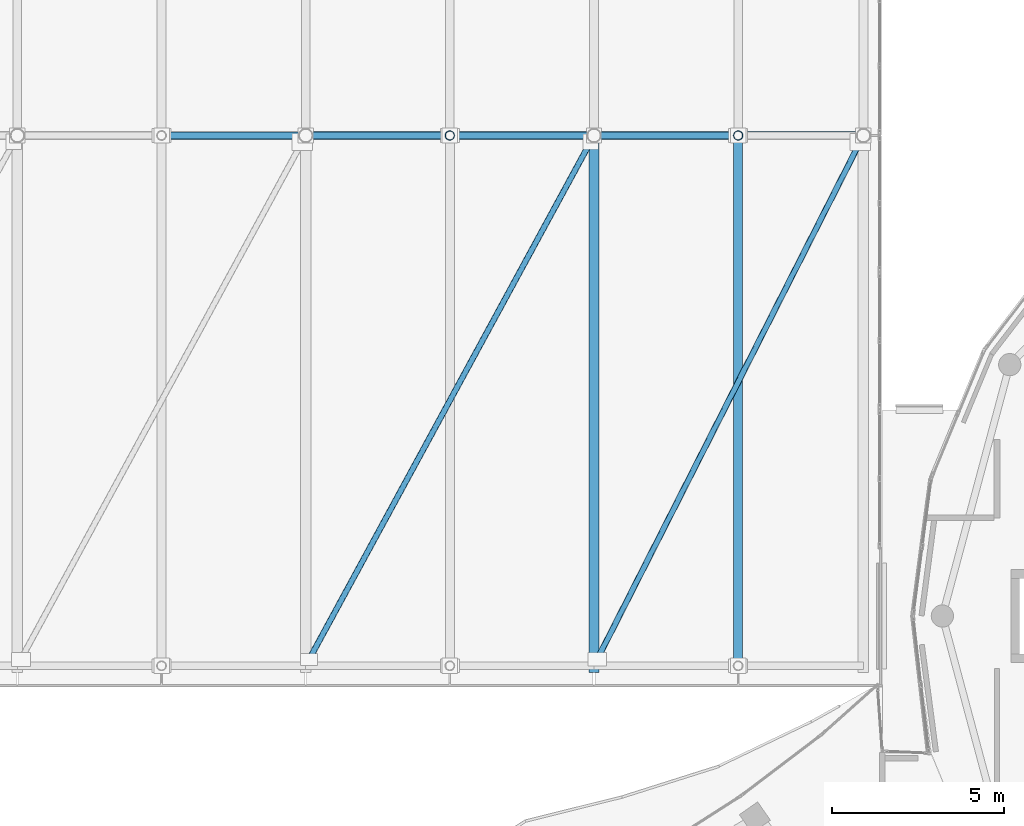
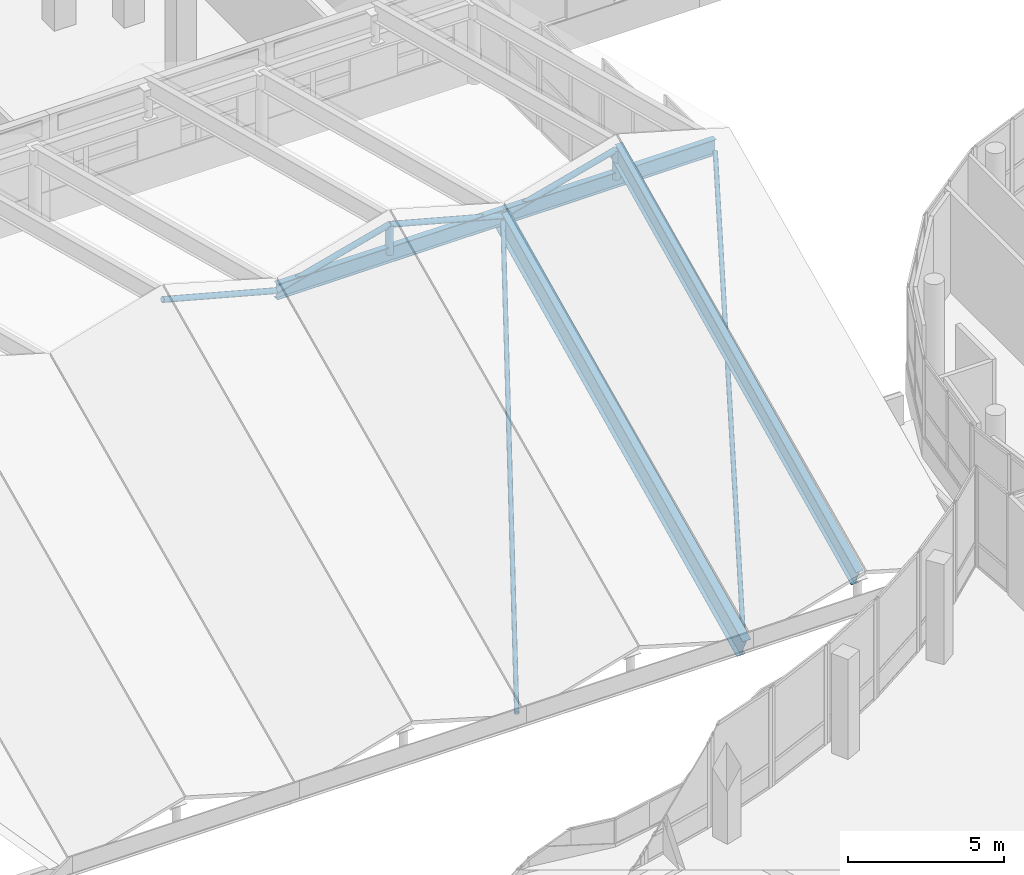
# One storey, part 45 of 184: 8 members, 4 beams.
"""IFC4 building model written with IfcOpenShell, lengths in metres."""

from ifc_helpers import new_model, si_unit, direction, frame, origin, origin_2d, place, context, subcontext, project, spatial, hollow_circle, i_section, extrude, material, material_profile, profile_set, type_object, element, save


model = new_model("IFC4")

# Units and contexts
model_context = context("Model", 3, precision=1e-05, world=origin(), true_north=direction((0.0, 1.0)))
body_context = subcontext(model_context, "Body", "Model", "MODEL_VIEW")
ifc_project = project(units=[si_unit("LENGTHUNIT", "METRE"), si_unit("AREAUNIT", "SQUARE_METRE"), si_unit("VOLUMEUNIT", "CUBIC_METRE"), si_unit("PLANEANGLEUNIT", "RADIAN"), si_unit("MASSUNIT", "GRAM", prefix="KILO")], contexts=[model_context])

# Site, building, storey
site_placement = place(None, origin())
site = spatial("IfcSite", under=ifc_project, at=site_placement, CompositionType="ELEMENT")
building_placement = place(site_placement, origin())
building = spatial("IfcBuilding", under=site, at=building_placement, Name="Selatvlak General Hospital", CompositionType="ELEMENT")
storey_placement = place(building_placement, frame((0.0, 0.0, 15.0)))
storey = spatial("IfcBuildingStorey", under=building, at=storey_placement, Name="L03", CompositionType="ELEMENT", Elevation=15.0)

# Beams
ifc_material = material(Name="Steel S355", Category="steel")
ifc_material_profile_1 = material_profile(ifc_material, i_section(OverallWidth=0.30419921875, OverallDepth=0.910400390625, WebThickness=0.015869140625, FlangeThickness=0.02392578125, at=origin_2d()), Name="UB 914x305x224")
ifc_profile_set_1 = profile_set([ifc_material_profile_1], Name="Steel S355")
beam_type_1 = type_object("IfcBeamType", Name="BM-RF1", PredefinedType="BEAM", material=ifc_profile_set_1)
beam_1_placement = place(storey_placement, frame((73.199951171875, 52.550048828125, -0.679931640625), z_axis=(0.0, 0.901888793553, 0.431968290577), x_axis=(-1.0, 0.0, 0.0)))
element("IfcBeam", 1, at=beam_1_placement, inside=storey, type_object=beam_type_1, Name="Folded roof south rafter 13", PredefinedType="BEAM", context=body_context, shape_type="SweptSolid", body=[
    extrude(i_section(OverallWidth=0.30419921875, OverallDepth=0.910400390625, WebThickness=0.015869140625, FlangeThickness=0.02392578125, at=origin_2d()), origin(), (0.0, 0.0, 1.0), 17.130615234375),
])
ifc_material_profile_2 = material_profile(ifc_material, i_section(OverallWidth=0.2666015625, OverallDepth=0.76220703125, WebThickness=0.014404296875, FlangeThickness=0.021484375, at=origin_2d()), Name="UB 762x267x173")
ifc_profile_set_2 = profile_set([ifc_material_profile_2], Name="Steel S355")
beam_type_2 = type_object("IfcBeamType", Name="BM-RF2", PredefinedType="BEAM", material=ifc_profile_set_2)
beam_2_placement = place(storey_placement, frame((77.39990234375, 52.550048828125, 0.593994140625), z_axis=(0.0, 0.901888793553, 0.431968290577), x_axis=(-1.0, 0.0, 0.0)))
element("IfcBeam", 2, at=beam_2_placement, inside=storey, type_object=beam_type_2, Name="Folded roof south rafter 14", PredefinedType="BEAM", context=body_context, shape_type="SweptSolid", body=[
    extrude(i_section(OverallWidth=0.2666015625, OverallDepth=0.76220703125, WebThickness=0.014404296875, FlangeThickness=0.021484375, at=origin_2d()), origin(), (0.0, 0.0, 1.0), 17.130615234375),
])
ifc_material_profile_3 = material_profile(ifc_material, i_section(OverallWidth=0.228271484375, OverallDepth=0.607666015625, WebThickness=0.010986328125, FlangeThickness=0.017333984375, at=origin_2d()), Name="UB 610x229x113")
ifc_profile_set_3 = profile_set([ifc_material_profile_3], Name="Steel S355")
beam_type_3 = type_object("IfcBeamType", Name="BM-RF4", PredefinedType="BEAM", material=ifc_profile_set_3)
beam_3_placement = place(storey_placement, frame((64.800048828125, 68.0, 6.87109375), z_axis=(1.0, 0.0, 0.0), x_axis=(0.0, 1.0, 0.0)))
element("IfcBeam", 3, at=beam_3_placement, inside=storey, type_object=beam_type_3, Name="Folded roof SP valley girder 6", PredefinedType="BEAM", context=body_context, shape_type="SweptSolid", body=[
    extrude(i_section(OverallWidth=0.228271484375, OverallDepth=0.607666015625, WebThickness=0.010986328125, FlangeThickness=0.017333984375, at=origin_2d()), origin(), (0.0, 0.0, 1.0), 8.39990234375),
])
beam_4_placement = place(storey_placement, frame((73.199951171875, 68.0, 6.87109375), z_axis=(1.0, 0.0, 0.0), x_axis=(0.0, 1.0, 0.0)))
element("IfcBeam", 4, at=beam_4_placement, inside=storey, type_object=beam_type_3, Name="Folded roof SP valley girder 7", PredefinedType="BEAM", context=body_context, shape_type="SweptSolid", body=[
    extrude(i_section(OverallWidth=0.228271484375, OverallDepth=0.607666015625, WebThickness=0.010986328125, FlangeThickness=0.017333984375, at=origin_2d()), origin(), (0.0, 0.0, 1.0), 7.85009765625),
])

# Members
ifc_material_profile_4 = material_profile(ifc_material, hollow_circle(Radius=0.109619140625, WallThickness=0.008056640625, at=origin_2d()), Name="CHS 219.1x8")
ifc_profile_set_4 = profile_set([ifc_material_profile_4], Name="Steel S355")
member_type_1 = type_object("IfcMemberType", Name="MEM-BR1", PredefinedType="BRACE", material=ifc_profile_set_4)
for number, where, z_axis, x_axis, name in (
    (5, (64.800048828125, 68.0, 6.87109375), (-0.966073502135, 0.0, 0.258267281074), (0.0, -1.0, 0.0), "Folded roof V-brace SP-9R"),
    (6, (64.800048828125, 68.0, 6.87109375), (0.966073502135, 0.0, 0.258267281074), (0.0, 1.0, 0.0), "Folded roof V-brace SP-11L"),
    (7, (73.199951171875, 68.0, 6.87109375), (-0.966073502135, 0.0, 0.258267281074), (0.0, -1.0, 0.0), "Folded roof V-brace SP-11R"),
    (8, (73.199951171875, 68.0, 6.87109375), (0.966073502135, 0.0, 0.258267281074), (0.0, 1.0, 0.0), "Folded roof V-brace SP-13L"),
):
    element("IfcMember", number, at=place(storey_placement, frame(where, z_axis=z_axis, x_axis=x_axis)), inside=storey, type_object=member_type_1, Name=name, PredefinedType="BRACE", context=body_context, shape_type="SweptSolid", body=[
        extrude(hollow_circle(Radius=0.109619140625, WallThickness=0.008056640625, at=origin_2d()), origin(), (0.0, 0.0, 1.0), 4.347412109375),
    ])
ifc_material_profile_5 = material_profile(ifc_material, hollow_circle(Radius=0.084228515625, WallThickness=0.00634765625, at=origin_2d()), Name="CHS 168.3x6.3")
ifc_profile_set_5 = profile_set([ifc_material_profile_5], Name="Steel S355")
member_type_2 = type_object("IfcMemberType", Name="MEM-BR2", PredefinedType="BRACE", material=ifc_profile_set_5)
member_1_placement = place(storey_placement, frame((64.90087890625, 52.736083984375, -0.43994140625), z_axis=(0.440288815946, 0.809761673138, 0.387855374166), x_axis=(-0.878533023611, 0.477681616167, 0.0)))
element("IfcMember", 9, at=member_1_placement, inside=storey, type_object=member_type_2, Name="Folded roof wind diagonal 6", PredefinedType="BRACE", context=body_context, shape_type="SweptSolid", body=[
    extrude(hollow_circle(Radius=0.084228515625, WallThickness=0.00634765625, at=origin_2d()), origin(), (0.0, 0.0, 1.0), 18.6201171875),
])
member_2_placement = place(storey_placement, frame((73.2958984375, 52.739013671875, -0.43798828125), z_axis=(0.416604533317, 0.819914590166, 0.39265853824), x_axis=(-0.891517405217, 0.452986441514, 0.0)))
element("IfcMember", 10, at=member_2_placement, inside=storey, type_object=member_type_2, Name="Folded roof wind diagonal 7", PredefinedType="BRACE", context=body_context, shape_type="SweptSolid", body=[
    extrude(hollow_circle(Radius=0.084228515625, WallThickness=0.00634765625, at=origin_2d()), origin(), (0.0, 0.0, 1.0), 18.38232421875),
])
ifc_material_profile_6 = material_profile(ifc_material, hollow_circle(Radius=0.136474609375, WallThickness=0.010009765625, at=origin_2d()), Name="CHS 273.0x10")
ifc_profile_set_6 = profile_set([ifc_material_profile_6], Name="Steel S355")
member_type_3 = type_object("IfcMemberType", Name="MEM-ST1", PredefinedType="STRUT", material=ifc_profile_set_6)
for number, where, z_axis, x_axis, name in (
    (11, (69.0, 68.0, 6.87109375), (0.0, 0.0, 1.0), (1.0, 0.0, 0.0), "Folded roof ridge kingpost SP-11"),
    (12, (77.39990234375, 68.0, 6.87109375), (0.0, 0.0, 1.0), (1.0, 0.0, 0.0), "Folded roof ridge kingpost SP-13"),
):
    element("IfcMember", number, at=place(storey_placement, frame(where, z_axis=z_axis, x_axis=x_axis)), inside=storey, type_object=member_type_3, Name=name, PredefinedType="STRUT", context=body_context, shape_type="SweptSolid", body=[
        extrude(hollow_circle(Radius=0.136474609375, WallThickness=0.010009765625, at=origin_2d()), origin(), (0.0, 0.0, 1.0), 1.122802734375),
    ])

save(model, "model.ifc")
